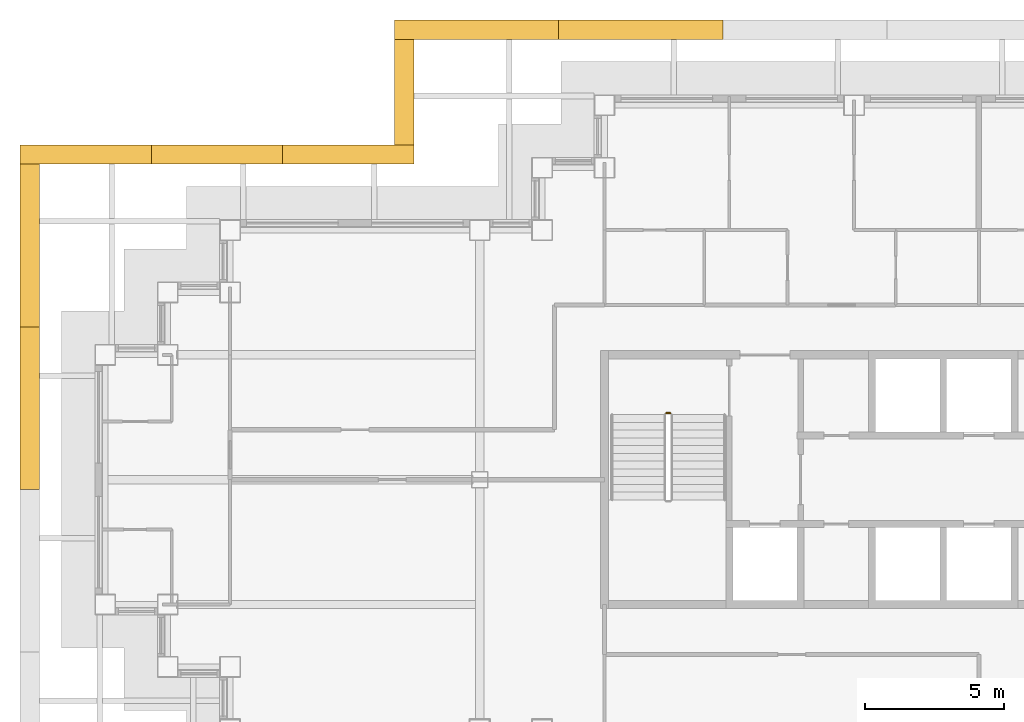
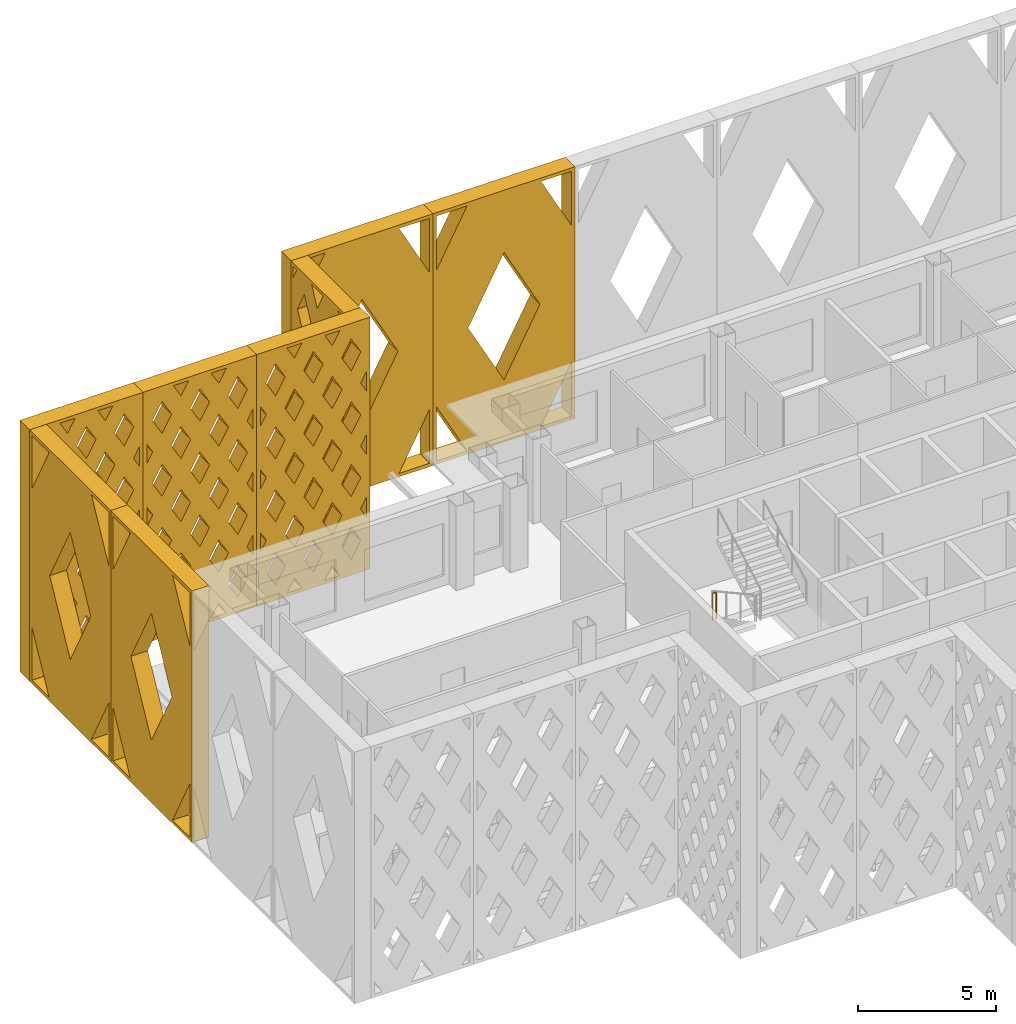
# One storey, part 17 of 18: 8 shading devices, 1 railing.
"""IFC4 building model written with IfcOpenShell, lengths in metres."""

import ifcopenshell
import ifcopenshell.guid

model = None  # the IFC model being written
_history = None  # IfcOwnerHistory: only IFC2X3 demands one
_inside = {}  # id of a spatial element -> (the spatial element, [elements in it])
_under = {}  # id of a project, library or spatial element -> (it, [spatial elements below it])
_declared = {}  # id of a project -> (the project, [libraries it declares])
_typed = {}  # id of a type object -> (the type object, [elements of that type])
_made_of = {}  # id of a material, layer set ... -> (it, [elements and type objects made of it])


def new_model(schema):
    """Start an empty IFC model of exactly this schema.

    Asked for "IFC4X3", IfcOpenShell would pick the latest addendum, in which some entities
    have other attributes; the version numbers below select the first issue.
    IFC2X3 requires an IfcOwnerHistory on every rooted entity: one is made here for all.
    """
    global model, _history
    if schema == "IFC4X3":
        model = ifcopenshell.file(schema_version=(4, 3, 0, 0))
    else:
        model = ifcopenshell.file(schema=schema)
    _inside.clear()
    _under.clear()
    _declared.clear()
    _typed.clear()
    _made_of.clear()
    _history = None
    if model.schema == "IFC2X3":
        org = make("IfcOrganization", Name="unknown")
        user = make(
            "IfcPersonAndOrganization",
            ThePerson=make("IfcPerson", FamilyName="unknown"),
            TheOrganization=org,
        )
        app = make(
            "IfcApplication",
            ApplicationDeveloper=org,
            Version="unknown",
            ApplicationFullName="unknown",
            ApplicationIdentifier="unknown",
        )
        _history = make(
            "IfcOwnerHistory",
            OwningUser=user,
            OwningApplication=app,
            ChangeAction="ADDED",
            CreationDate=0,
        )
    return model


def make(cls, **values):
    """One entity of the class cls with the attributes given. An attribute that is None is left unset."""
    return model.create_entity(
        cls, **{name: value for name, value in values.items() if value is not None}
    )


def rooted(cls, **values):
    """An entity with a GlobalId (a new one), such as an element, a storey or a relation."""
    return make(cls, GlobalId=ifcopenshell.guid.new(), OwnerHistory=_history, **values)


def si_unit(unit_type, name, prefix=None):
    """IfcSIUnit, for example si_unit("LENGTHUNIT", "METRE", prefix="MILLI")."""
    return make("IfcSIUnit", UnitType=unit_type, Prefix=prefix, Name=name)


def assignment(units):
    """IfcUnitAssignment: the units of a project."""
    return None if units is None else make("IfcUnitAssignment", Units=units)


def point(xyz):
    """IfcCartesianPoint."""
    return None if xyz is None else make("IfcCartesianPoint", Coordinates=xyz)


def direction(xyz):
    """IfcDirection."""
    return None if xyz is None else make("IfcDirection", DirectionRatios=xyz)


def frame(location, z_axis=None, x_axis=None):
    """IfcAxis2Placement3D, a coordinate frame: its origin and axes. An axis left out is left unset."""
    return make(
        "IfcAxis2Placement3D",
        Location=point(location),
        Axis=direction(z_axis),
        RefDirection=direction(x_axis),
    )


def frame_2d(location, x_axis=None):
    """IfcAxis2Placement2D, a coordinate frame in the plane: its origin and x axis."""
    return make(
        "IfcAxis2Placement2D", Location=point(location), RefDirection=direction(x_axis)
    )


def origin():
    """The frame at (0, 0, 0) with its axes left unset."""
    return frame((0.0, 0.0, 0.0))


def origin_2d():
    """The frame at (0, 0) in the plane with its x axis left unset."""
    return frame_2d((0.0, 0.0))


def place(relative_to, where):
    """IfcLocalPlacement: puts the frame where relative to a parent placement (None: the world)."""
    return make(
        "IfcLocalPlacement", PlacementRelTo=relative_to, RelativePlacement=where
    )


def context(
    kind, dimensions, precision=None, world=None, true_north=None, identifier=None
):
    """IfcGeometricRepresentationContext, for example the 3D "Model" context."""
    return make(
        "IfcGeometricRepresentationContext",
        ContextIdentifier=identifier,
        ContextType=kind,
        CoordinateSpaceDimension=dimensions,
        Precision=precision,
        WorldCoordinateSystem=world,
        TrueNorth=true_north,
    )


def subcontext(parent, identifier, kind, view, scale=None):
    """IfcGeometricRepresentationSubContext, for example "Body" below "Model"."""
    return make(
        "IfcGeometricRepresentationSubContext",
        ContextIdentifier=identifier,
        ContextType=kind,
        ParentContext=parent,
        TargetScale=scale,
        TargetView=view,
    )


def project(units=None, contexts=None):
    """IfcProject with its units and contexts."""
    return rooted(
        "IfcProject",
        Name="project",
        RepresentationContexts=contexts,
        UnitsInContext=assignment(units),
    )


def spatial(cls, under=None, at=None, **own):
    """A site, building, storey or space (cls), placed at a placement, below another one or the project."""
    s = rooted(cls, ObjectPlacement=at, **own)
    if under is not None:
        _under.setdefault(under.id(), (under, []))[1].append(s)
    return s


def polyline(points):
    """IfcPolyline through the points."""
    return make("IfcPolyline", Points=[point(p) for p in points])


def profile(cls, at=None, kind="AREA", **sizes):
    """A parametric profile (cls). Its sizes go by their IFC names, for example OverallWidth=200.0."""
    return make(cls, ProfileType=kind, Position=at, **sizes)


def circle(**sizes):
    """IfcCircleProfileDef."""
    return profile("IfcCircleProfileDef", **sizes)


def outline(outer, holes=None, kind="AREA"):
    """IfcArbitraryClosedProfileDef: a profile drawn as a closed curve; with holes, ...WithVoids."""
    if holes is None:
        return make("IfcArbitraryClosedProfileDef", ProfileType=kind, OuterCurve=outer)
    return make(
        "IfcArbitraryProfileDefWithVoids",
        ProfileType=kind,
        OuterCurve=outer,
        InnerCurves=holes,
    )


def extrude(swept, where, along, depth):
    """IfcExtrudedAreaSolid: the profile swept, set in the frame where, extruded along a direction by depth."""
    return make(
        "IfcExtrudedAreaSolid",
        SweptArea=swept,
        Position=where,
        ExtrudedDirection=direction(along),
        Depth=depth,
    )


def shape(context_of_items, identifier, shape_type, items):
    """IfcShapeRepresentation: the items that make up one representation, for example the "Body"."""
    return make(
        "IfcShapeRepresentation",
        ContextOfItems=context_of_items,
        RepresentationIdentifier=identifier,
        RepresentationType=shape_type,
        Items=items,
    )


def material(Name=None, Category=None):
    """IfcMaterial."""
    return make("IfcMaterial", Name=Name, Category=Category)


def made_of(thing, what):
    """Note that an element or type object is made of a material, layer set ...; save() writes the relation."""
    if what is not None:
        _made_of.setdefault(what.id(), (what, []))[1].append(thing)
    return thing


def type_object(cls, material=None, **own):
    """A type object (cls), such as IfcWallType, which elements share."""
    return made_of(rooted(cls, **own), material)


def element(
    cls,
    number,
    at=None,
    inside=None,
    cuts=None,
    type_object=None,
    material=None,
    context=None,
    identifier="Body",
    shape_type=None,
    held_by="IfcProductDefinitionShape",
    body=None,
    shapes=None,
    **own,
):
    """One element of the class cls, such as IfcWall. Its Tag is "e" and its number.

    at: its placement. inside: the storey or other place that contains it. cuts: it is an
    opening in that element (IfcRelVoidsElement). A single representation is given by context,
    identifier, shape_type and body (its items); several are given by shapes. held_by: the class
    of the entity that holds the representations. save() writes the other relations.
    """
    e = rooted(cls, Tag="e%d" % number, ObjectPlacement=at, **own)
    if body is not None:
        shapes = [shape(context, identifier, shape_type, body)]
    if shapes is not None:
        e.Representation = make(held_by, Representations=shapes)
    if inside is not None:
        _inside.setdefault(inside.id(), (inside, []))[1].append(e)
    if cuts is not None:
        rooted(
            "IfcRelVoidsElement", RelatingBuildingElement=cuts, RelatedOpeningElement=e
        )
    if type_object is not None:
        _typed.setdefault(type_object.id(), (type_object, []))[1].append(e)
    return made_of(e, material)


def aggregate(whole, parts):
    """IfcRelAggregates: a whole, such as a stair, and the parts it consists of."""
    return rooted("IfcRelAggregates", RelatingObject=whole, RelatedObjects=parts)


def save(model, path):
    """Write the relations noted so far, then the file.

    IfcRelAggregates (storeys below a building ...), IfcRelContainedInSpatialStructure (elements
    in a storey), IfcRelDefinesByType, IfcRelAssociatesMaterial and IfcRelDeclares: one each for
    every whole, place, type object, material and project.
    """
    for whole, parts in _under.values():
        aggregate(whole, parts)
    for where, things in _inside.values():
        rooted(
            "IfcRelContainedInSpatialStructure",
            RelatedElements=things,
            RelatingStructure=where,
        )
    for kind, things in _typed.values():
        rooted("IfcRelDefinesByType", RelatedObjects=things, RelatingType=kind)
    for what, things in _made_of.values():
        rooted("IfcRelAssociatesMaterial", RelatedObjects=things, RelatingMaterial=what)
    for by, libraries in _declared.values():
        rooted("IfcRelDeclares", RelatingContext=by, RelatedDefinitions=libraries)
    model.write(path)


model = new_model("IFC4")

# Units and contexts
model_context = context("Model", 3, precision=1e-05, world=origin(), true_north=direction((0.0, 1.0)))
body_context = subcontext(model_context, "Body", "Model", "MODEL_VIEW")
ifc_project = project(units=[si_unit("LENGTHUNIT", "METRE"), si_unit("AREAUNIT", "SQUARE_METRE"), si_unit("VOLUMEUNIT", "CUBIC_METRE"), si_unit("PLANEANGLEUNIT", "RADIAN"), si_unit("MASSUNIT", "GRAM", prefix="KILO")], contexts=[model_context])

# Site, building, storey
site_placement = place(None, origin())
site = spatial("IfcSite", under=ifc_project, at=site_placement, CompositionType="ELEMENT")
building_placement = place(site_placement, origin())
building = spatial("IfcBuilding", under=site, at=building_placement, Name="Caravel Reach Hotel and Residences", CompositionType="ELEMENT")
storey_placement = place(building_placement, frame((0.0, 0.0, 176.5)))
storey = spatial("IfcBuildingStorey", under=building, at=storey_placement, Name="L44", CompositionType="ELEMENT", Elevation=176.5)

# Shading devices
ifc_material_1 = material(Name="Black powder-coated aluminium", Category="aluminium")
shading_device_type_1 = type_object("IfcShadingDeviceType", Name="Diamond lattice screen panel 3800 x 11100", PredefinedType="USERDEFINED", material=ifc_material_1)
shading_device_1_placement = place(storey_placement, frame((11.125, 42.875, 0.0), z_axis=(-1.0, 0.0, 0.0), x_axis=(0.0, -1.0, 0.0)))
element("IfcShadingDevice", 1, at=shading_device_1_placement, inside=storey, type_object=shading_device_type_1, Name="Lattice screen L44-L46 11.1", ObjectType="SCREEN", PredefinedType="USERDEFINED", context=body_context, shape_type="SweptSolid", body=[
    extrude(outline(polyline([(0.0, 0.0), (3.800048828125, 0.0), (3.800048828125, 11.10009765625), (0.0, 11.10009765625), (0.0, 0.0)]), holes=[polyline([(0.412109375, 0.14990234375), (0.14990234375, 0.660400390625), (0.14990234375, 0.14990234375), (0.412109375, 0.14990234375)]), polyline([(0.4892578125, 3.699951171875), (0.14990234375, 4.3603515625), (0.14990234375, 3.03955078125), (0.4892578125, 3.699951171875)]), polyline([(0.4892578125, 7.39990234375), (0.14990234375, 8.060302734375), (0.14990234375, 6.739501953125), (0.4892578125, 7.39990234375)]), polyline([(0.14990234375, 10.439697265625), (0.412109375, 10.949951171875), (0.14990234375, 10.949951171875), (0.14990234375, 10.439697265625)]), polyline([(0.949951171875, 2.802490234375), (0.4609375, 1.85009765625), (0.949951171875, 0.8974609375), (1.439208984375, 1.85009765625), (0.949951171875, 2.802490234375)]), polyline([(0.949951171875, 6.50244140625), (0.4609375, 5.550048828125), (0.949951171875, 4.597412109375), (1.439208984375, 5.550048828125), (0.949951171875, 6.50244140625)]), polyline([(0.949951171875, 10.20263671875), (0.4609375, 9.25), (0.949951171875, 8.29736328125), (1.439208984375, 9.25), (0.949951171875, 10.20263671875)]), polyline([(1.89990234375, 0.95263671875), (1.48779296875, 0.14990234375), (2.31201171875, 0.14990234375), (1.89990234375, 0.95263671875)]), polyline([(1.89990234375, 4.652587890625), (1.410888671875, 3.699951171875), (1.89990234375, 2.74755859375), (2.38916015625, 3.699951171875), (1.89990234375, 4.652587890625)]), polyline([(1.89990234375, 8.3525390625), (1.410888671875, 7.39990234375), (1.89990234375, 6.447509765625), (2.38916015625, 7.39990234375), (1.89990234375, 8.3525390625)]), polyline([(1.89990234375, 10.1474609375), (2.31201171875, 10.949951171875), (1.48779296875, 10.949951171875), (1.89990234375, 10.1474609375)]), polyline([(2.85009765625, 2.802490234375), (2.36083984375, 1.85009765625), (2.85009765625, 0.8974609375), (3.339111328125, 1.85009765625), (2.85009765625, 2.802490234375)]), polyline([(2.85009765625, 6.50244140625), (2.36083984375, 5.550048828125), (2.85009765625, 4.597412109375), (3.339111328125, 5.550048828125), (2.85009765625, 6.50244140625)]), polyline([(2.85009765625, 10.20263671875), (2.36083984375, 9.25), (2.85009765625, 8.29736328125), (3.339111328125, 9.25), (2.85009765625, 10.20263671875)]), polyline([(3.64990234375, 0.660400390625), (3.387939453125, 0.14990234375), (3.64990234375, 0.14990234375), (3.64990234375, 0.660400390625)]), polyline([(3.310791015625, 3.699951171875), (3.64990234375, 3.03955078125), (3.64990234375, 4.3603515625), (3.310791015625, 3.699951171875)]), polyline([(3.310791015625, 7.39990234375), (3.64990234375, 6.739501953125), (3.64990234375, 8.060302734375), (3.310791015625, 7.39990234375)]), polyline([(3.387939453125, 10.949951171875), (3.64990234375, 10.439697265625), (3.64990234375, 10.949951171875), (3.387939453125, 10.949951171875)])]), origin(), (0.0, 0.0, 1.0), 0.699951171875),
])
ifc_material_2 = material(Name="Black powder-coated aluminium", Category="aluminium")
shading_device_type_2 = type_object("IfcShadingDeviceType", Name="Diamond lattice screen panel 4733 x 11100", PredefinedType="USERDEFINED", material=ifc_material_2)
shading_device_2_placement = place(storey_placement, frame((11.125, 38.375, 0.0), z_axis=(0.0, 1.0, 0.0), x_axis=(-1.0, 0.0, 0.0)))
element("IfcShadingDevice", 2, at=shading_device_2_placement, inside=storey, type_object=shading_device_type_2, Name="Lattice screen L44-L46 12.1", ObjectType="SCREEN", PredefinedType="USERDEFINED", context=body_context, shape_type="SweptSolid", body=[
    extrude(outline(polyline([(0.0, 0.0), (4.7333984375, 0.0), (4.7333984375, 11.10009765625), (0.0, 11.10009765625), (0.0, 0.0)]), holes=[polyline([(0.401123046875, 2.77490234375), (0.14990234375, 3.216796875), (0.14990234375, 2.333251953125), (0.401123046875, 2.77490234375)]), polyline([(0.401123046875, 5.550048828125), (0.14990234375, 5.99169921875), (0.14990234375, 5.108154296875), (0.401123046875, 5.550048828125)]), polyline([(0.401123046875, 8.324951171875), (0.14990234375, 8.766845703125), (0.14990234375, 7.88330078125), (0.401123046875, 8.324951171875)]), polyline([(0.788818359375, 2.093017578125), (0.3876953125, 1.387451171875), (0.788818359375, 0.681884765625), (1.190185546875, 1.387451171875), (0.788818359375, 2.093017578125)]), polyline([(0.788818359375, 4.8681640625), (0.3876953125, 4.16259765625), (0.788818359375, 3.456787109375), (1.190185546875, 4.16259765625), (0.788818359375, 4.8681640625)]), polyline([(0.788818359375, 7.64306640625), (0.3876953125, 6.9375), (0.788818359375, 6.23193359375), (1.190185546875, 6.9375), (0.788818359375, 7.64306640625)]), polyline([(0.788818359375, 10.418212890625), (0.3876953125, 9.71240234375), (0.788818359375, 9.0068359375), (1.190185546875, 9.71240234375), (0.788818359375, 10.418212890625)]), polyline([(1.577880859375, 0.70556640625), (1.261962890625, 0.14990234375), (1.893798828125, 0.14990234375), (1.577880859375, 0.70556640625)]), polyline([(1.577880859375, 3.480712890625), (1.176513671875, 2.77490234375), (1.577880859375, 2.0693359375), (1.97900390625, 2.77490234375), (1.577880859375, 3.480712890625)]), polyline([(1.577880859375, 6.255615234375), (1.176513671875, 5.550048828125), (1.577880859375, 4.844482421875), (1.97900390625, 5.550048828125), (1.577880859375, 6.255615234375)]), polyline([(1.577880859375, 9.030517578125), (1.176513671875, 8.324951171875), (1.577880859375, 7.619384765625), (1.97900390625, 8.324951171875), (1.577880859375, 9.030517578125)]), polyline([(1.577880859375, 10.394287109375), (1.893798828125, 10.949951171875), (1.261962890625, 10.949951171875), (1.577880859375, 10.394287109375)]), polyline([(2.36669921875, 2.093017578125), (1.965576171875, 1.387451171875), (2.36669921875, 0.681884765625), (2.767822265625, 1.387451171875), (2.36669921875, 2.093017578125)]), polyline([(2.36669921875, 4.8681640625), (1.965576171875, 4.16259765625), (2.36669921875, 3.456787109375), (2.767822265625, 4.16259765625), (2.36669921875, 4.8681640625)]), polyline([(2.36669921875, 7.64306640625), (1.965576171875, 6.9375), (2.36669921875, 6.23193359375), (2.767822265625, 6.9375), (2.36669921875, 7.64306640625)]), polyline([(2.36669921875, 10.418212890625), (1.965576171875, 9.71240234375), (2.36669921875, 9.0068359375), (2.767822265625, 9.71240234375), (2.36669921875, 10.418212890625)]), polyline([(3.155517578125, 0.70556640625), (2.839599609375, 0.14990234375), (3.471435546875, 0.14990234375), (3.155517578125, 0.70556640625)]), polyline([(3.155517578125, 3.480712890625), (2.75439453125, 2.77490234375), (3.155517578125, 2.0693359375), (3.556640625, 2.77490234375), (3.155517578125, 3.480712890625)]), polyline([(3.155517578125, 6.255615234375), (2.75439453125, 5.550048828125), (3.155517578125, 4.844482421875), (3.556640625, 5.550048828125), (3.155517578125, 6.255615234375)]), polyline([(3.155517578125, 9.030517578125), (2.75439453125, 8.324951171875), (3.155517578125, 7.619384765625), (3.556640625, 8.324951171875), (3.155517578125, 9.030517578125)]), polyline([(3.155517578125, 10.394287109375), (3.471435546875, 10.949951171875), (2.839599609375, 10.949951171875), (3.155517578125, 10.394287109375)]), polyline([(3.9443359375, 2.093017578125), (3.543212890625, 1.387451171875), (3.9443359375, 0.681884765625), (4.345703125, 1.387451171875), (3.9443359375, 2.093017578125)]), polyline([(3.9443359375, 4.8681640625), (3.543212890625, 4.16259765625), (3.9443359375, 3.456787109375), (4.345703125, 4.16259765625), (3.9443359375, 4.8681640625)]), polyline([(3.9443359375, 7.64306640625), (3.543212890625, 6.9375), (3.9443359375, 6.23193359375), (4.345703125, 6.9375), (3.9443359375, 7.64306640625)]), polyline([(3.9443359375, 10.418212890625), (3.543212890625, 9.71240234375), (3.9443359375, 9.0068359375), (4.345703125, 9.71240234375), (3.9443359375, 10.418212890625)]), polyline([(4.33203125, 2.77490234375), (4.583251953125, 2.333251953125), (4.583251953125, 3.216796875), (4.33203125, 2.77490234375)]), polyline([(4.33203125, 5.550048828125), (4.583251953125, 5.108154296875), (4.583251953125, 5.99169921875), (4.33203125, 5.550048828125)]), polyline([(4.33203125, 8.324951171875), (4.583251953125, 7.88330078125), (4.583251953125, 8.766845703125), (4.33203125, 8.324951171875)])]), origin(), (0.0, 0.0, 1.0), 0.699951171875),
])
shading_device_3_placement = place(storey_placement, frame((6.3916015625, 38.375, 0.0), z_axis=(0.0, 1.0, 0.0), x_axis=(-1.0, 0.0, 0.0)))
element("IfcShadingDevice", 3, at=shading_device_3_placement, inside=storey, type_object=shading_device_type_2, Name="Lattice screen L44-L46 12.2", ObjectType="SCREEN", PredefinedType="USERDEFINED", context=body_context, shape_type="SweptSolid", body=[
    extrude(outline(polyline([(0.0, 0.0), (4.7333984375, 0.0), (4.7333984375, 11.10009765625), (0.0, 11.10009765625), (0.0, 0.0)]), holes=[polyline([(0.401123046875, 2.77490234375), (0.14990234375, 3.216796875), (0.14990234375, 2.333251953125), (0.401123046875, 2.77490234375)]), polyline([(0.401123046875, 5.550048828125), (0.14990234375, 5.99169921875), (0.14990234375, 5.108154296875), (0.401123046875, 5.550048828125)]), polyline([(0.401123046875, 8.324951171875), (0.14990234375, 8.766845703125), (0.14990234375, 7.88330078125), (0.401123046875, 8.324951171875)]), polyline([(0.788818359375, 2.093017578125), (0.3876953125, 1.387451171875), (0.788818359375, 0.681884765625), (1.190185546875, 1.387451171875), (0.788818359375, 2.093017578125)]), polyline([(0.788818359375, 4.8681640625), (0.3876953125, 4.16259765625), (0.788818359375, 3.456787109375), (1.190185546875, 4.16259765625), (0.788818359375, 4.8681640625)]), polyline([(0.788818359375, 7.64306640625), (0.3876953125, 6.9375), (0.788818359375, 6.23193359375), (1.190185546875, 6.9375), (0.788818359375, 7.64306640625)]), polyline([(0.788818359375, 10.418212890625), (0.3876953125, 9.71240234375), (0.788818359375, 9.0068359375), (1.190185546875, 9.71240234375), (0.788818359375, 10.418212890625)]), polyline([(1.577880859375, 0.70556640625), (1.261962890625, 0.14990234375), (1.893798828125, 0.14990234375), (1.577880859375, 0.70556640625)]), polyline([(1.577880859375, 3.480712890625), (1.176513671875, 2.77490234375), (1.577880859375, 2.0693359375), (1.97900390625, 2.77490234375), (1.577880859375, 3.480712890625)]), polyline([(1.577880859375, 6.255615234375), (1.176513671875, 5.550048828125), (1.577880859375, 4.844482421875), (1.97900390625, 5.550048828125), (1.577880859375, 6.255615234375)]), polyline([(1.577880859375, 9.030517578125), (1.176513671875, 8.324951171875), (1.577880859375, 7.619384765625), (1.97900390625, 8.324951171875), (1.577880859375, 9.030517578125)]), polyline([(1.577880859375, 10.394287109375), (1.893798828125, 10.949951171875), (1.261962890625, 10.949951171875), (1.577880859375, 10.394287109375)]), polyline([(2.36669921875, 2.093017578125), (1.965576171875, 1.387451171875), (2.36669921875, 0.681884765625), (2.767822265625, 1.387451171875), (2.36669921875, 2.093017578125)]), polyline([(2.36669921875, 4.8681640625), (1.965576171875, 4.16259765625), (2.36669921875, 3.456787109375), (2.767822265625, 4.16259765625), (2.36669921875, 4.8681640625)]), polyline([(2.36669921875, 7.64306640625), (1.965576171875, 6.9375), (2.36669921875, 6.23193359375), (2.767822265625, 6.9375), (2.36669921875, 7.64306640625)]), polyline([(2.36669921875, 10.418212890625), (1.965576171875, 9.71240234375), (2.36669921875, 9.0068359375), (2.767822265625, 9.71240234375), (2.36669921875, 10.418212890625)]), polyline([(3.155517578125, 0.70556640625), (2.839599609375, 0.14990234375), (3.471435546875, 0.14990234375), (3.155517578125, 0.70556640625)]), polyline([(3.155517578125, 3.480712890625), (2.75439453125, 2.77490234375), (3.155517578125, 2.0693359375), (3.556640625, 2.77490234375), (3.155517578125, 3.480712890625)]), polyline([(3.155517578125, 6.255615234375), (2.75439453125, 5.550048828125), (3.155517578125, 4.844482421875), (3.556640625, 5.550048828125), (3.155517578125, 6.255615234375)]), polyline([(3.155517578125, 9.030517578125), (2.75439453125, 8.324951171875), (3.155517578125, 7.619384765625), (3.556640625, 8.324951171875), (3.155517578125, 9.030517578125)]), polyline([(3.155517578125, 10.394287109375), (3.471435546875, 10.949951171875), (2.839599609375, 10.949951171875), (3.155517578125, 10.394287109375)]), polyline([(3.9443359375, 2.093017578125), (3.543212890625, 1.387451171875), (3.9443359375, 0.681884765625), (4.345703125, 1.387451171875), (3.9443359375, 2.093017578125)]), polyline([(3.9443359375, 4.8681640625), (3.543212890625, 4.16259765625), (3.9443359375, 3.456787109375), (4.345703125, 4.16259765625), (3.9443359375, 4.8681640625)]), polyline([(3.9443359375, 7.64306640625), (3.543212890625, 6.9375), (3.9443359375, 6.23193359375), (4.345703125, 6.9375), (3.9443359375, 7.64306640625)]), polyline([(3.9443359375, 10.418212890625), (3.543212890625, 9.71240234375), (3.9443359375, 9.0068359375), (4.345703125, 9.71240234375), (3.9443359375, 10.418212890625)]), polyline([(4.33203125, 2.77490234375), (4.583251953125, 2.333251953125), (4.583251953125, 3.216796875), (4.33203125, 2.77490234375)]), polyline([(4.33203125, 5.550048828125), (4.583251953125, 5.108154296875), (4.583251953125, 5.99169921875), (4.33203125, 5.550048828125)]), polyline([(4.33203125, 8.324951171875), (4.583251953125, 7.88330078125), (4.583251953125, 8.766845703125), (4.33203125, 8.324951171875)])]), origin(), (0.0, 0.0, 1.0), 0.699951171875),
])
shading_device_4_placement = place(storey_placement, frame((1.658447265625, 38.375, 0.0), z_axis=(0.0, 1.0, 0.0), x_axis=(-1.0, 0.0, 0.0)))
element("IfcShadingDevice", 4, at=shading_device_4_placement, inside=storey, type_object=shading_device_type_2, Name="Lattice screen L44-L46 12.3", ObjectType="SCREEN", PredefinedType="USERDEFINED", context=body_context, shape_type="SweptSolid", body=[
    extrude(outline(polyline([(0.0, 0.0), (4.7333984375, 0.0), (4.7333984375, 11.10009765625), (0.0, 11.10009765625), (0.0, 0.0)]), holes=[polyline([(0.401123046875, 2.77490234375), (0.14990234375, 3.216796875), (0.14990234375, 2.333251953125), (0.401123046875, 2.77490234375)]), polyline([(0.401123046875, 5.550048828125), (0.14990234375, 5.99169921875), (0.14990234375, 5.108154296875), (0.401123046875, 5.550048828125)]), polyline([(0.401123046875, 8.324951171875), (0.14990234375, 8.766845703125), (0.14990234375, 7.88330078125), (0.401123046875, 8.324951171875)]), polyline([(0.788818359375, 2.093017578125), (0.3876953125, 1.387451171875), (0.788818359375, 0.681884765625), (1.190185546875, 1.387451171875), (0.788818359375, 2.093017578125)]), polyline([(0.788818359375, 4.8681640625), (0.3876953125, 4.16259765625), (0.788818359375, 3.456787109375), (1.190185546875, 4.16259765625), (0.788818359375, 4.8681640625)]), polyline([(0.788818359375, 7.64306640625), (0.3876953125, 6.9375), (0.788818359375, 6.23193359375), (1.190185546875, 6.9375), (0.788818359375, 7.64306640625)]), polyline([(0.788818359375, 10.418212890625), (0.3876953125, 9.71240234375), (0.788818359375, 9.0068359375), (1.190185546875, 9.71240234375), (0.788818359375, 10.418212890625)]), polyline([(1.577880859375, 0.70556640625), (1.261962890625, 0.14990234375), (1.893798828125, 0.14990234375), (1.577880859375, 0.70556640625)]), polyline([(1.577880859375, 3.480712890625), (1.176513671875, 2.77490234375), (1.577880859375, 2.0693359375), (1.97900390625, 2.77490234375), (1.577880859375, 3.480712890625)]), polyline([(1.577880859375, 6.255615234375), (1.176513671875, 5.550048828125), (1.577880859375, 4.844482421875), (1.97900390625, 5.550048828125), (1.577880859375, 6.255615234375)]), polyline([(1.577880859375, 9.030517578125), (1.176513671875, 8.324951171875), (1.577880859375, 7.619384765625), (1.97900390625, 8.324951171875), (1.577880859375, 9.030517578125)]), polyline([(1.577880859375, 10.394287109375), (1.893798828125, 10.949951171875), (1.261962890625, 10.949951171875), (1.577880859375, 10.394287109375)]), polyline([(2.36669921875, 2.093017578125), (1.965576171875, 1.387451171875), (2.36669921875, 0.681884765625), (2.767822265625, 1.387451171875), (2.36669921875, 2.093017578125)]), polyline([(2.36669921875, 4.8681640625), (1.965576171875, 4.16259765625), (2.36669921875, 3.456787109375), (2.767822265625, 4.16259765625), (2.36669921875, 4.8681640625)]), polyline([(2.36669921875, 7.64306640625), (1.965576171875, 6.9375), (2.36669921875, 6.23193359375), (2.767822265625, 6.9375), (2.36669921875, 7.64306640625)]), polyline([(2.36669921875, 10.418212890625), (1.965576171875, 9.71240234375), (2.36669921875, 9.0068359375), (2.767822265625, 9.71240234375), (2.36669921875, 10.418212890625)]), polyline([(3.155517578125, 0.70556640625), (2.839599609375, 0.14990234375), (3.471435546875, 0.14990234375), (3.155517578125, 0.70556640625)]), polyline([(3.155517578125, 3.480712890625), (2.75439453125, 2.77490234375), (3.155517578125, 2.0693359375), (3.556640625, 2.77490234375), (3.155517578125, 3.480712890625)]), polyline([(3.155517578125, 6.255615234375), (2.75439453125, 5.550048828125), (3.155517578125, 4.844482421875), (3.556640625, 5.550048828125), (3.155517578125, 6.255615234375)]), polyline([(3.155517578125, 9.030517578125), (2.75439453125, 8.324951171875), (3.155517578125, 7.619384765625), (3.556640625, 8.324951171875), (3.155517578125, 9.030517578125)]), polyline([(3.155517578125, 10.394287109375), (3.471435546875, 10.949951171875), (2.839599609375, 10.949951171875), (3.155517578125, 10.394287109375)]), polyline([(3.9443359375, 2.093017578125), (3.543212890625, 1.387451171875), (3.9443359375, 0.681884765625), (4.345703125, 1.387451171875), (3.9443359375, 2.093017578125)]), polyline([(3.9443359375, 4.8681640625), (3.543212890625, 4.16259765625), (3.9443359375, 3.456787109375), (4.345703125, 4.16259765625), (3.9443359375, 4.8681640625)]), polyline([(3.9443359375, 7.64306640625), (3.543212890625, 6.9375), (3.9443359375, 6.23193359375), (4.345703125, 6.9375), (3.9443359375, 7.64306640625)]), polyline([(3.9443359375, 10.418212890625), (3.543212890625, 9.71240234375), (3.9443359375, 9.0068359375), (4.345703125, 9.71240234375), (3.9443359375, 10.418212890625)]), polyline([(4.33203125, 2.77490234375), (4.583251953125, 2.333251953125), (4.583251953125, 3.216796875), (4.33203125, 2.77490234375)]), polyline([(4.33203125, 5.550048828125), (4.583251953125, 5.108154296875), (4.583251953125, 5.99169921875), (4.33203125, 5.550048828125)]), polyline([(4.33203125, 8.324951171875), (4.583251953125, 7.88330078125), (4.583251953125, 8.766845703125), (4.33203125, 8.324951171875)])]), origin(), (0.0, 0.0, 1.0), 0.699951171875),
])
ifc_material_3 = material(Name="Black powder-coated aluminium", Category="aluminium")
shading_device_type_3 = type_object("IfcShadingDeviceType", Name="Diamond lattice screen panel 5862 x 11100", PredefinedType="USERDEFINED", material=ifc_material_3)
for number, where, z_axis, x_axis, name in (
    (5, (-2.375, 38.375, 0.0), (-1.0, 0.0, 0.0), (0.0, -1.0, 0.0), "Lattice screen L44-L46 13.1"),
    (6, (-2.375, 32.512451171875, 0.0), (-1.0, 0.0, 0.0), (0.0, -1.0, 0.0), "Lattice screen L44-L46 13.2"),
):
    element("IfcShadingDevice", number, at=place(storey_placement, frame(where, z_axis=z_axis, x_axis=x_axis)), inside=storey, type_object=shading_device_type_3, Name=name, ObjectType="SCREEN", PredefinedType="USERDEFINED", context=body_context, shape_type="SweptSolid", body=[
        extrude(outline(polyline([(0.0, 0.0), (5.862548828125, 0.0), (5.862548828125, 11.10009765625), (0.0, 11.10009765625), (0.0, 0.0)]), holes=[polyline([(1.405517578125, 0.14990234375), (0.14990234375, 2.527099609375), (0.14990234375, 0.14990234375), (1.405517578125, 0.14990234375)]), polyline([(0.14990234375, 8.572998046875), (1.405517578125, 10.949951171875), (0.14990234375, 10.949951171875), (0.14990234375, 8.572998046875)]), polyline([(2.93115234375, 8.361083984375), (1.446533203125, 5.550048828125), (2.93115234375, 2.73876953125), (4.416015625, 5.550048828125), (2.93115234375, 8.361083984375)]), polyline([(5.71240234375, 2.527099609375), (4.45703125, 0.14990234375), (5.71240234375, 0.14990234375), (5.71240234375, 2.527099609375)]), polyline([(4.45703125, 10.949951171875), (5.71240234375, 8.572998046875), (5.71240234375, 10.949951171875), (4.45703125, 10.949951171875)])]), origin(), (0.0, 0.0, 1.0), 0.699951171875),
    ])
ifc_material_4 = material(Name="Black powder-coated aluminium", Category="aluminium")
shading_device_type_4 = type_object("IfcShadingDeviceType", Name="Diamond lattice screen panel 5921 x 11100", PredefinedType="USERDEFINED", material=ifc_material_4)
for number, where, z_axis, x_axis, name in (
    (7, (22.267822265625, 42.875, 0.0), (0.0, 1.0, 0.0), (-1.0, 0.0, 0.0), "Lattice screen L44-L46 10.6"),
    (8, (16.346435546875, 42.875, 0.0), (0.0, 1.0, 0.0), (-1.0, 0.0, 0.0), "Lattice screen L44-L46 10.7"),
):
    element("IfcShadingDevice", number, at=place(storey_placement, frame(where, z_axis=z_axis, x_axis=x_axis)), inside=storey, type_object=shading_device_type_4, Name=name, ObjectType="SCREEN", PredefinedType="USERDEFINED", context=body_context, shape_type="SweptSolid", body=[
        extrude(outline(polyline([(0.0, 0.0), (5.92138671875, 0.0), (5.92138671875, 11.10009765625), (0.0, 11.10009765625), (0.0, 0.0)]), holes=[polyline([(1.4189453125, 0.14990234375), (0.14990234375, 2.528564453125), (0.14990234375, 0.14990234375), (1.4189453125, 0.14990234375)]), polyline([(0.14990234375, 8.5712890625), (1.4189453125, 10.949951171875), (0.14990234375, 10.949951171875), (0.14990234375, 8.5712890625)]), polyline([(2.960693359375, 8.35986328125), (1.461669921875, 5.550048828125), (2.960693359375, 2.740234375), (4.459716796875, 5.550048828125), (2.960693359375, 8.35986328125)]), polyline([(5.771484375, 2.528564453125), (4.50244140625, 0.14990234375), (5.771484375, 0.14990234375), (5.771484375, 2.528564453125)]), polyline([(4.50244140625, 10.949951171875), (5.771484375, 8.5712890625), (5.771484375, 10.949951171875), (4.50244140625, 10.949951171875)])]), origin(), (0.0, 0.0, 1.0), 0.699951171875),
    ])

# Railing
ifc_material_5 = material(Name="Steel balustrade with glass infill", Category="steel")
railing_type = type_object("IfcRailingType", Name="Guard 1200", PredefinedType="GUARDRAIL", material=ifc_material_5)
railing_placement = place(storey_placement, frame((20.22509765625, 29.39990234375, 0.0)))
element("IfcRailing", 9, at=railing_placement, inside=storey, type_object=railing_type, Name="L44 ST-A stair guard 4", PredefinedType="GUARDRAIL", context=body_context, shape_type="SweptSolid", body=[
    extrude(circle(Radius=0.02392578125, at=origin_2d()), frame((0.0, 0.0, 1.17578125), z_axis=(1.0, 0.0, 0.0), x_axis=(0.0, 1.0, 0.0)), (0.0, 0.0, 1.0), 0.14990234375),
    extrude(circle(Radius=0.02099609375, at=origin_2d()), origin(), (0.0, 0.0, 1.0), 1.15185546875),
    extrude(circle(Radius=0.02099609375, at=origin_2d()), frame((0.14990234375, 0.0, 0.0)), (0.0, 0.0, 1.0), 1.15185546875),
])

save(model, "model.ifc")
